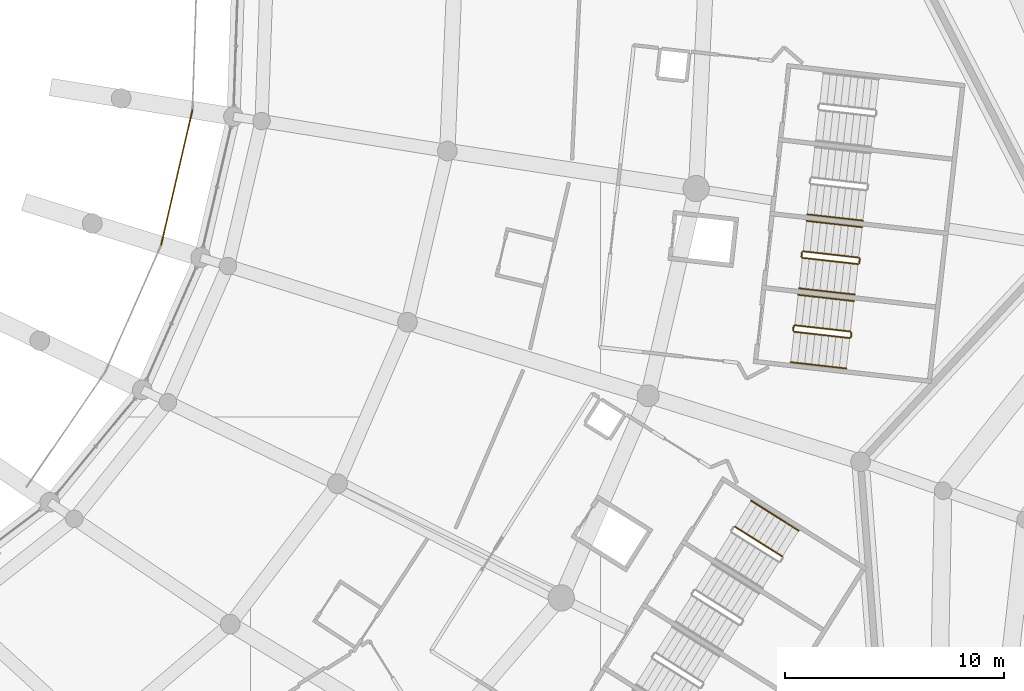
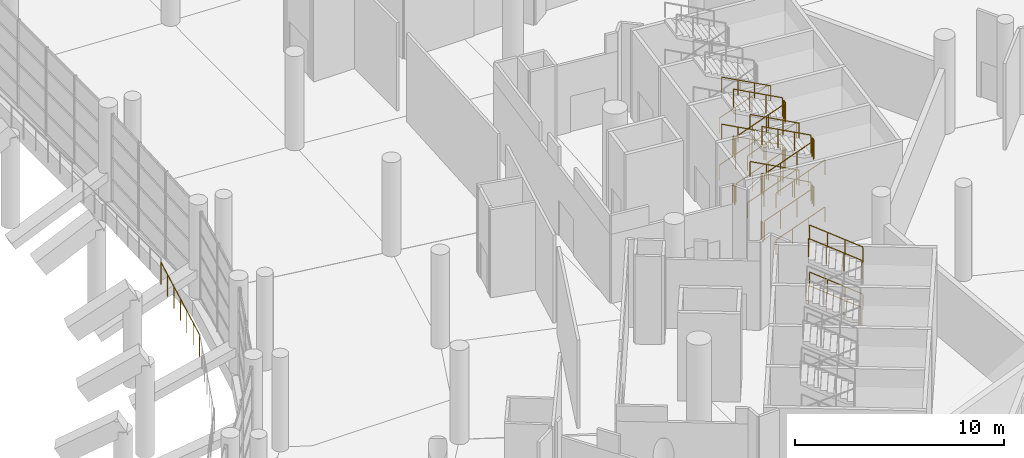
# One storey, part 243 of 271: 31 railings.
"""IFC4 building model written with IfcOpenShell, lengths in metres."""

from ifc_helpers import new_model, si_unit, direction, frame, origin, origin_2d, place, context, subcontext, project, spatial, circle, extrude, material, type_object, element, save


model = new_model("IFC4")

# Units and contexts
model_context = context("Model", 3, precision=1e-05, world=origin(), true_north=direction((0.0, 1.0)))
body_context = subcontext(model_context, "Body", "Model", "MODEL_VIEW")
ifc_project = project(units=[si_unit("LENGTHUNIT", "METRE"), si_unit("AREAUNIT", "SQUARE_METRE"), si_unit("VOLUMEUNIT", "CUBIC_METRE"), si_unit("PLANEANGLEUNIT", "RADIAN"), si_unit("MASSUNIT", "GRAM", prefix="KILO")], contexts=[model_context])

# Site, building, storey
site_placement = place(None, origin())
site = spatial("IfcSite", under=ifc_project, at=site_placement, CompositionType="ELEMENT")
building_placement = place(site_placement, origin())
building = spatial("IfcBuilding", under=site, at=building_placement, Name="Meseta Stadium", CompositionType="ELEMENT")
storey_placement = place(building_placement, frame((0.0, 0.0, 6.5)))
storey = spatial("IfcBuildingStorey", under=building, at=storey_placement, Name="L01", CompositionType="ELEMENT", Elevation=6.5)

# Railings
ifc_material_1 = material(Name="Steel S355", Category="steel")
railing_type_1 = type_object("IfcRailingType", Name="Stair guard 1100", PredefinedType="GUARDRAIL", material=ifc_material_1)
railing_1_placement = place(storey_placement, frame((88.83740234375, -60.10986328125, 0.15283203125)))
element("IfcRailing", 1, at=railing_1_placement, inside=storey, type_object=railing_type_1, Name="ST1 L01 guard 1", PredefinedType="GUARDRAIL", context=body_context, shape_type="SweptSolid", body=[
    extrude(circle(Radius=0.02392578125, at=origin_2d()), frame((0.0, 0.0, 1.076171875), z_axis=(0.896761948158, -0.101036326981, 0.430824406188), x_axis=(0.111959576062, 0.993712761983, 0.0)), (0.0, 0.0, 1.0), 2.8369140625),
    extrude(circle(Radius=0.02099609375, at=origin_2d()), origin(), (0.0, 0.0, 1.0), 1.052001953125),
    extrude(circle(Radius=0.02099609375, at=origin_2d()), frame((0.847900390625, -0.095458984375, 0.407470703125)), (0.0, 0.0, 1.0), 1.052001953125),
    extrude(circle(Radius=0.02099609375, at=origin_2d()), frame((1.696044921875, -0.191162109375, 0.814697265625)), (0.0, 0.0, 1.0), 1.052001953125),
    extrude(circle(Radius=0.02099609375, at=origin_2d()), frame((2.5439453125, -0.28662109375, 1.22216796875)), (0.0, 0.0, 1.0), 1.052001953125),
])
railing_2_placement = place(storey_placement, frame((91.4365234375, -60.352294921875, 1.375)))
element("IfcRailing", 2, at=railing_2_placement, inside=storey, type_object=railing_type_1, Name="ST1 L01 guard 2", PredefinedType="GUARDRAIL", context=body_context, shape_type="SweptSolid", body=[
    extrude(circle(Radius=0.02392578125, at=origin_2d()), frame((0.0, 0.0, 1.076171875), z_axis=(0.112307083986, 0.993673547442, 0.0), x_axis=(-0.993673547442, 0.112307083986, 0.0)), (0.0, 0.0, 1.0), 0.199951171875),
    extrude(circle(Radius=0.02099609375, at=origin_2d()), origin(), (0.0, 0.0, 1.0), 1.052001953125),
    extrude(circle(Radius=0.02099609375, at=origin_2d()), frame((0.0224609375, 0.19873046875, 0.0)), (0.0, 0.0, 1.0), 1.052001953125),
])
railing_3_placement = place(storey_placement, frame((91.414794921875, -60.098388671875, 1.52783203125)))
element("IfcRailing", 3, at=railing_3_placement, inside=storey, type_object=railing_type_1, Name="ST1 L01 guard 3", PredefinedType="GUARDRAIL", context=body_context, shape_type="SweptSolid", body=[
    extrude(circle(Radius=0.02392578125, at=origin_2d()), frame((0.0, 0.0, 1.076171875), z_axis=(-0.896745093794, 0.101044125167, 0.43085765808), x_axis=(-0.111970187058, -0.993711566407, 0.0)), (0.0, 0.0, 1.0), 2.836669921875),
    extrude(circle(Radius=0.02099609375, at=origin_2d()), origin(), (0.0, 0.0, 1.0), 1.052001953125),
    extrude(circle(Radius=0.02099609375, at=origin_2d()), frame((-0.847900390625, 0.095458984375, 0.407470703125)), (0.0, 0.0, 1.0), 1.052001953125),
    extrude(circle(Radius=0.02099609375, at=origin_2d()), frame((-1.69580078125, 0.191162109375, 0.814697265625)), (0.0, 0.0, 1.0), 1.052001953125),
    extrude(circle(Radius=0.02099609375, at=origin_2d()), frame((-2.543701171875, 0.28662109375, 1.22216796875)), (0.0, 0.0, 1.0), 1.052001953125),
])
railing_4_placement = place(storey_placement, frame((88.793212890625, -60.054443359375, 2.75)))
element("IfcRailing", 4, at=railing_4_placement, inside=storey, type_object=railing_type_1, Name="ST1 L01 guard 4", PredefinedType="GUARDRAIL", context=body_context, shape_type="SweptSolid", body=[
    extrude(circle(Radius=0.02392578125, at=origin_2d()), frame((0.0, 0.0, 1.076171875), z_axis=(0.112307083986, 0.993673547442, 0.0), x_axis=(-0.993673547442, 0.112307083986, 0.0)), (0.0, 0.0, 1.0), 0.199951171875),
    extrude(circle(Radius=0.02099609375, at=origin_2d()), origin(), (0.0, 0.0, 1.0), 1.052001953125),
    extrude(circle(Radius=0.02099609375, at=origin_2d()), frame((0.0224609375, 0.19873046875, 0.0)), (0.0, 0.0, 1.0), 1.052001953125),
])
railing_5_placement = place(storey_placement, frame((88.83740234375, -60.10986328125, 2.90283203125)))
element("IfcRailing", 5, at=railing_5_placement, inside=storey, type_object=railing_type_1, Name="ST1 L01 guard 5", PredefinedType="GUARDRAIL", context=body_context, shape_type="SweptSolid", body=[
    extrude(circle(Radius=0.02392578125, at=origin_2d()), frame((0.0, 0.0, 1.076171875), z_axis=(0.896761948158, -0.101036326981, 0.430824406188), x_axis=(0.111959576062, 0.993712761983, 0.0)), (0.0, 0.0, 1.0), 2.8369140625),
    extrude(circle(Radius=0.02099609375, at=origin_2d()), origin(), (0.0, 0.0, 1.0), 1.052001953125),
    extrude(circle(Radius=0.02099609375, at=origin_2d()), frame((0.847900390625, -0.095458984375, 0.407470703125)), (0.0, 0.0, 1.0), 1.052001953125),
    extrude(circle(Radius=0.02099609375, at=origin_2d()), frame((1.696044921875, -0.191162109375, 0.814697265625)), (0.0, 0.0, 1.0), 1.052001953125),
    extrude(circle(Radius=0.02099609375, at=origin_2d()), frame((2.5439453125, -0.28662109375, 1.22216796875)), (0.0, 0.0, 1.0), 1.052001953125),
])
railing_6_placement = place(storey_placement, frame((91.4365234375, -60.352294921875, 4.125)))
element("IfcRailing", 6, at=railing_6_placement, inside=storey, type_object=railing_type_1, Name="ST1 L01 guard 6", PredefinedType="GUARDRAIL", context=body_context, shape_type="SweptSolid", body=[
    extrude(circle(Radius=0.02392578125, at=origin_2d()), frame((0.0, 0.0, 1.076171875), z_axis=(0.112307083986, 0.993673547442, 0.0), x_axis=(-0.993673547442, 0.112307083986, 0.0)), (0.0, 0.0, 1.0), 0.199951171875),
    extrude(circle(Radius=0.02099609375, at=origin_2d()), origin(), (0.0, 0.0, 1.0), 1.052001953125),
    extrude(circle(Radius=0.02099609375, at=origin_2d()), frame((0.0224609375, 0.19873046875, 0.0)), (0.0, 0.0, 1.0), 1.052001953125),
])
railing_7_placement = place(storey_placement, frame((91.414794921875, -60.098388671875, 4.27783203125)))
element("IfcRailing", 7, at=railing_7_placement, inside=storey, type_object=railing_type_1, Name="ST1 L01 guard 7", PredefinedType="GUARDRAIL", context=body_context, shape_type="SweptSolid", body=[
    extrude(circle(Radius=0.02392578125, at=origin_2d()), frame((0.0, 0.0, 1.076171875), z_axis=(-0.896745093794, 0.101044125167, 0.43085765808), x_axis=(-0.111970187058, -0.993711566407, 0.0)), (0.0, 0.0, 1.0), 2.836669921875),
    extrude(circle(Radius=0.02099609375, at=origin_2d()), origin(), (0.0, 0.0, 1.0), 1.052001953125),
    extrude(circle(Radius=0.02099609375, at=origin_2d()), frame((-0.847900390625, 0.095458984375, 0.407470703125)), (0.0, 0.0, 1.0), 1.052001953125),
    extrude(circle(Radius=0.02099609375, at=origin_2d()), frame((-1.69580078125, 0.191162109375, 0.814697265625)), (0.0, 0.0, 1.0), 1.052001953125),
    extrude(circle(Radius=0.02099609375, at=origin_2d()), frame((-2.543701171875, 0.28662109375, 1.22216796875)), (0.0, 0.0, 1.0), 1.052001953125),
])
railing_8_placement = place(storey_placement, frame((88.793212890625, -60.054443359375, 0.0)))
element("IfcRailing", 8, at=railing_8_placement, inside=storey, type_object=railing_type_1, Name="ST1 L01 guard 8", PredefinedType="GUARDRAIL", context=body_context, shape_type="SweptSolid", body=[
    extrude(circle(Radius=0.02392578125, at=origin_2d()), frame((0.0, 0.0, 1.076171875), z_axis=(0.112307083986, 0.993673547442, 0.0), x_axis=(-0.993673547442, 0.112307083986, 0.0)), (0.0, 0.0, 1.0), 0.199951171875),
    extrude(circle(Radius=0.02099609375, at=origin_2d()), origin(), (0.0, 0.0, 1.0), 1.052001953125),
    extrude(circle(Radius=0.02099609375, at=origin_2d()), frame((0.0224609375, 0.19873046875, 0.0)), (0.0, 0.0, 1.0), 1.052001953125),
])
railing_9_placement = place(storey_placement, frame((89.218017578125, -56.731201171875, 0.15283203125)))
element("IfcRailing", 9, at=railing_9_placement, inside=storey, type_object=railing_type_1, Name="ST2 L01 guard 1", PredefinedType="GUARDRAIL", context=body_context, shape_type="SweptSolid", body=[
    extrude(circle(Radius=0.02392578125, at=origin_2d()), frame((0.0, 0.0, 1.076171875), z_axis=(0.896761948158, -0.101036326981, 0.430824406188), x_axis=(0.111959576062, 0.993712761983, 0.0)), (0.0, 0.0, 1.0), 2.8369140625),
    extrude(circle(Radius=0.02099609375, at=origin_2d()), origin(), (0.0, 0.0, 1.0), 1.052001953125),
    extrude(circle(Radius=0.02099609375, at=origin_2d()), frame((0.847900390625, -0.095458984375, 0.407470703125)), (0.0, 0.0, 1.0), 1.052001953125),
    extrude(circle(Radius=0.02099609375, at=origin_2d()), frame((1.696044921875, -0.191162109375, 0.814697265625)), (0.0, 0.0, 1.0), 1.052001953125),
    extrude(circle(Radius=0.02099609375, at=origin_2d()), frame((2.5439453125, -0.28662109375, 1.22216796875)), (0.0, 0.0, 1.0), 1.052001953125),
])
railing_10_placement = place(storey_placement, frame((91.8173828125, -56.973876953125, 1.375)))
element("IfcRailing", 10, at=railing_10_placement, inside=storey, type_object=railing_type_1, Name="ST2 L01 guard 2", PredefinedType="GUARDRAIL", context=body_context, shape_type="SweptSolid", body=[
    extrude(circle(Radius=0.02392578125, at=origin_2d()), frame((0.0, 0.0, 1.076171875), z_axis=(0.110966863456, 0.993824106779, 0.0), x_axis=(-0.993824106779, 0.110966863456, 0.0)), (0.0, 0.0, 1.0), 0.2001953125),
    extrude(circle(Radius=0.02099609375, at=origin_2d()), origin(), (0.0, 0.0, 1.0), 1.052001953125),
    extrude(circle(Radius=0.02099609375, at=origin_2d()), frame((0.022216796875, 0.198974609375, 0.0)), (0.0, 0.0, 1.0), 1.052001953125),
])
railing_11_placement = place(storey_placement, frame((91.795654296875, -56.7197265625, 1.52783203125)))
element("IfcRailing", 11, at=railing_11_placement, inside=storey, type_object=railing_type_1, Name="ST2 L01 guard 3", PredefinedType="GUARDRAIL", context=body_context, shape_type="SweptSolid", body=[
    extrude(circle(Radius=0.02392578125, at=origin_2d()), frame((0.0, 0.0, 1.076171875), z_axis=(-0.896761948158, 0.101036326981, 0.430824406188), x_axis=(-0.111959576062, -0.993712761983, 0.0)), (0.0, 0.0, 1.0), 2.8369140625),
    extrude(circle(Radius=0.02099609375, at=origin_2d()), origin(), (0.0, 0.0, 1.0), 1.052001953125),
    extrude(circle(Radius=0.02099609375, at=origin_2d()), frame((-0.847900390625, 0.095458984375, 0.407470703125)), (0.0, 0.0, 1.0), 1.052001953125),
    extrude(circle(Radius=0.02099609375, at=origin_2d()), frame((-1.696044921875, 0.191162109375, 0.814697265625)), (0.0, 0.0, 1.0), 1.052001953125),
    extrude(circle(Radius=0.02099609375, at=origin_2d()), frame((-2.5439453125, 0.28662109375, 1.22216796875)), (0.0, 0.0, 1.0), 1.052001953125),
])
railing_12_placement = place(storey_placement, frame((89.174072265625, -56.676025390625, 2.75)))
element("IfcRailing", 12, at=railing_12_placement, inside=storey, type_object=railing_type_1, Name="ST2 L01 guard 4", PredefinedType="GUARDRAIL", context=body_context, shape_type="SweptSolid", body=[
    extrude(circle(Radius=0.02392578125, at=origin_2d()), frame((0.0, 0.0, 1.076171875), z_axis=(0.111101504696, 0.993809063983, 0.0), x_axis=(-0.993809063983, 0.111101504696, 0.0)), (0.0, 0.0, 1.0), 0.199951171875),
    extrude(circle(Radius=0.02099609375, at=origin_2d()), origin(), (0.0, 0.0, 1.0), 1.052001953125),
    extrude(circle(Radius=0.02099609375, at=origin_2d()), frame((0.022216796875, 0.19873046875, 0.0)), (0.0, 0.0, 1.0), 1.052001953125),
])
railing_13_placement = place(storey_placement, frame((89.218017578125, -56.731201171875, 2.90283203125)))
element("IfcRailing", 13, at=railing_13_placement, inside=storey, type_object=railing_type_1, Name="ST2 L01 guard 5", PredefinedType="GUARDRAIL", context=body_context, shape_type="SweptSolid", body=[
    extrude(circle(Radius=0.02392578125, at=origin_2d()), frame((0.0, 0.0, 1.076171875), z_axis=(0.896761948158, -0.101036326981, 0.430824406188), x_axis=(0.111959576062, 0.993712761983, 0.0)), (0.0, 0.0, 1.0), 2.8369140625),
    extrude(circle(Radius=0.02099609375, at=origin_2d()), origin(), (0.0, 0.0, 1.0), 1.052001953125),
    extrude(circle(Radius=0.02099609375, at=origin_2d()), frame((0.847900390625, -0.095458984375, 0.407470703125)), (0.0, 0.0, 1.0), 1.052001953125),
    extrude(circle(Radius=0.02099609375, at=origin_2d()), frame((1.696044921875, -0.191162109375, 0.814697265625)), (0.0, 0.0, 1.0), 1.052001953125),
    extrude(circle(Radius=0.02099609375, at=origin_2d()), frame((2.5439453125, -0.28662109375, 1.22216796875)), (0.0, 0.0, 1.0), 1.052001953125),
])
railing_14_placement = place(storey_placement, frame((91.8173828125, -56.973876953125, 4.125)))
element("IfcRailing", 14, at=railing_14_placement, inside=storey, type_object=railing_type_1, Name="ST2 L01 guard 6", PredefinedType="GUARDRAIL", context=body_context, shape_type="SweptSolid", body=[
    extrude(circle(Radius=0.02392578125, at=origin_2d()), frame((0.0, 0.0, 1.076171875), z_axis=(0.110966863456, 0.993824106779, 0.0), x_axis=(-0.993824106779, 0.110966863456, 0.0)), (0.0, 0.0, 1.0), 0.2001953125),
    extrude(circle(Radius=0.02099609375, at=origin_2d()), origin(), (0.0, 0.0, 1.0), 1.052001953125),
    extrude(circle(Radius=0.02099609375, at=origin_2d()), frame((0.022216796875, 0.198974609375, 0.0)), (0.0, 0.0, 1.0), 1.052001953125),
])
railing_15_placement = place(storey_placement, frame((91.795654296875, -56.7197265625, 4.27783203125)))
element("IfcRailing", 15, at=railing_15_placement, inside=storey, type_object=railing_type_1, Name="ST2 L01 guard 7", PredefinedType="GUARDRAIL", context=body_context, shape_type="SweptSolid", body=[
    extrude(circle(Radius=0.02392578125, at=origin_2d()), frame((0.0, 0.0, 1.076171875), z_axis=(-0.896761948158, 0.101036326981, 0.430824406188), x_axis=(-0.111959576062, -0.993712761983, 0.0)), (0.0, 0.0, 1.0), 2.8369140625),
    extrude(circle(Radius=0.02099609375, at=origin_2d()), origin(), (0.0, 0.0, 1.0), 1.052001953125),
    extrude(circle(Radius=0.02099609375, at=origin_2d()), frame((-0.847900390625, 0.095458984375, 0.407470703125)), (0.0, 0.0, 1.0), 1.052001953125),
    extrude(circle(Radius=0.02099609375, at=origin_2d()), frame((-1.696044921875, 0.191162109375, 0.814697265625)), (0.0, 0.0, 1.0), 1.052001953125),
    extrude(circle(Radius=0.02099609375, at=origin_2d()), frame((-2.5439453125, 0.28662109375, 1.22216796875)), (0.0, 0.0, 1.0), 1.052001953125),
])
railing_16_placement = place(storey_placement, frame((89.174072265625, -56.676025390625, 0.0)))
element("IfcRailing", 16, at=railing_16_placement, inside=storey, type_object=railing_type_1, Name="ST2 L01 guard 8", PredefinedType="GUARDRAIL", context=body_context, shape_type="SweptSolid", body=[
    extrude(circle(Radius=0.02392578125, at=origin_2d()), frame((0.0, 0.0, 1.076171875), z_axis=(0.111101504696, 0.993809063983, 0.0), x_axis=(-0.993809063983, 0.111101504696, 0.0)), (0.0, 0.0, 1.0), 0.199951171875),
    extrude(circle(Radius=0.02099609375, at=origin_2d()), origin(), (0.0, 0.0, 1.0), 1.052001953125),
    extrude(circle(Radius=0.02099609375, at=origin_2d()), frame((0.022216796875, 0.19873046875, 0.0)), (0.0, 0.0, 1.0), 1.052001953125),
])
for number, where, name in (
    (17, (88.30126953125, -70.37939453125, 1.52783203125), "ST112 L01 guard 3"),
    (18, (88.30126953125, -70.37939453125, 4.27783203125), "ST112 L01 guard 7"),
):
    element("IfcRailing", number, at=place(storey_placement, frame(where)), inside=storey, type_object=railing_type_1, Name=name, PredefinedType="GUARDRAIL", context=body_context, shape_type="SweptSolid", body=[
        extrude(circle(Radius=0.02392578125, at=origin_2d()), frame((0.0, 0.0, 1.076171875), z_axis=(-0.764084805753, 0.480156468945, 0.430841241), x_axis=(-0.532071929883, -0.84669915639, 0.0)), (0.0, 0.0, 1.0), 2.836669921875),
        extrude(circle(Radius=0.02099609375, at=origin_2d()), origin(), (0.0, 0.0, 1.0), 1.052001953125),
        extrude(circle(Radius=0.02099609375, at=origin_2d()), frame((-0.722412109375, 0.4541015625, 0.407470703125)), (0.0, 0.0, 1.0), 1.052001953125),
        extrude(circle(Radius=0.02099609375, at=origin_2d()), frame((-1.445068359375, 0.907958984375, 0.814697265625)), (0.0, 0.0, 1.0), 1.052001953125),
        extrude(circle(Radius=0.02099609375, at=origin_2d()), frame((-2.16748046875, 1.362060546875, 1.22216796875)), (0.0, 0.0, 1.0), 1.052001953125),
    ])
ifc_material_2 = material(Name="Steel S355", Category="steel")
railing_type_2 = type_object("IfcRailingType", Name="Stair handrail 900", PredefinedType="HANDRAIL", material=ifc_material_2)
railing_17_placement = place(storey_placement, frame((88.6806640625, -61.5009765625, 0.15283203125)))
element("IfcRailing", 19, at=railing_17_placement, inside=storey, type_object=railing_type_2, Name="ST1 L01 handrail 1", PredefinedType="HANDRAIL", context=body_context, shape_type="SweptSolid", body=[
    extrude(circle(Radius=0.02392578125, at=origin_2d()), frame((0.0, 0.0, 0.8759765625), z_axis=(0.896761948158, -0.101036326981, 0.430824406188), x_axis=(0.111959576062, 0.993712761983, 0.0)), (0.0, 0.0, 1.0), 2.8369140625),
    extrude(circle(Radius=0.02099609375, at=origin_2d()), origin(), (0.0, 0.0, 1.0), 0.851806640625),
    extrude(circle(Radius=0.02099609375, at=origin_2d()), frame((0.847900390625, -0.095458984375, 0.407470703125)), (0.0, 0.0, 1.0), 0.851806640625),
    extrude(circle(Radius=0.02099609375, at=origin_2d()), frame((1.696044921875, -0.191162109375, 0.814697265625)), (0.0, 0.0, 1.0), 0.851806640625),
    extrude(circle(Radius=0.02099609375, at=origin_2d()), frame((2.5439453125, -0.28662109375, 1.22216796875)), (0.0, 0.0, 1.0), 0.851806640625),
])
railing_18_placement = place(storey_placement, frame((91.571533203125, -58.707275390625, 1.52783203125)))
element("IfcRailing", 20, at=railing_18_placement, inside=storey, type_object=railing_type_2, Name="ST1 L01 handrail 2", PredefinedType="HANDRAIL", context=body_context, shape_type="SweptSolid", body=[
    extrude(circle(Radius=0.02392578125, at=origin_2d()), frame((0.0, 0.0, 0.8759765625), z_axis=(-0.896737291859, 0.101129313555, 0.430853909497), x_axis=(-0.112064364749, -0.993700950062, 0.0)), (0.0, 0.0, 1.0), 2.836669921875),
    extrude(circle(Radius=0.02099609375, at=origin_2d()), origin(), (0.0, 0.0, 1.0), 0.851806640625),
    extrude(circle(Radius=0.02099609375, at=origin_2d()), frame((-0.847900390625, 0.095703125, 0.407470703125)), (0.0, 0.0, 1.0), 0.851806640625),
    extrude(circle(Radius=0.02099609375, at=origin_2d()), frame((-1.69580078125, 0.191162109375, 0.814697265625)), (0.0, 0.0, 1.0), 0.851806640625),
    extrude(circle(Radius=0.02099609375, at=origin_2d()), frame((-2.543701171875, 0.286865234375, 1.22216796875)), (0.0, 0.0, 1.0), 0.851806640625),
])
railing_19_placement = place(storey_placement, frame((88.6806640625, -61.5009765625, 2.90283203125)))
element("IfcRailing", 21, at=railing_19_placement, inside=storey, type_object=railing_type_2, Name="ST1 L01 handrail 3", PredefinedType="HANDRAIL", context=body_context, shape_type="SweptSolid", body=[
    extrude(circle(Radius=0.02392578125, at=origin_2d()), frame((0.0, 0.0, 0.8759765625), z_axis=(0.896761948158, -0.101036326981, 0.430824406188), x_axis=(0.111959576062, 0.993712761983, 0.0)), (0.0, 0.0, 1.0), 2.8369140625),
    extrude(circle(Radius=0.02099609375, at=origin_2d()), origin(), (0.0, 0.0, 1.0), 0.851806640625),
    extrude(circle(Radius=0.02099609375, at=origin_2d()), frame((0.847900390625, -0.095458984375, 0.407470703125)), (0.0, 0.0, 1.0), 0.851806640625),
    extrude(circle(Radius=0.02099609375, at=origin_2d()), frame((1.696044921875, -0.191162109375, 0.814697265625)), (0.0, 0.0, 1.0), 0.851806640625),
    extrude(circle(Radius=0.02099609375, at=origin_2d()), frame((2.5439453125, -0.28662109375, 1.22216796875)), (0.0, 0.0, 1.0), 0.851806640625),
])
railing_20_placement = place(storey_placement, frame((91.571533203125, -58.707275390625, 4.27783203125)))
element("IfcRailing", 22, at=railing_20_placement, inside=storey, type_object=railing_type_2, Name="ST1 L01 handrail 4", PredefinedType="HANDRAIL", context=body_context, shape_type="SweptSolid", body=[
    extrude(circle(Radius=0.02392578125, at=origin_2d()), frame((0.0, 0.0, 0.8759765625), z_axis=(-0.896737291859, 0.101129313555, 0.430853909497), x_axis=(-0.112064364749, -0.993700950062, 0.0)), (0.0, 0.0, 1.0), 2.836669921875),
    extrude(circle(Radius=0.02099609375, at=origin_2d()), origin(), (0.0, 0.0, 1.0), 0.851806640625),
    extrude(circle(Radius=0.02099609375, at=origin_2d()), frame((-0.847900390625, 0.095703125, 0.407470703125)), (0.0, 0.0, 1.0), 0.851806640625),
    extrude(circle(Radius=0.02099609375, at=origin_2d()), frame((-1.69580078125, 0.191162109375, 0.814697265625)), (0.0, 0.0, 1.0), 0.851806640625),
    extrude(circle(Radius=0.02099609375, at=origin_2d()), frame((-2.543701171875, 0.286865234375, 1.22216796875)), (0.0, 0.0, 1.0), 0.851806640625),
])
railing_21_placement = place(storey_placement, frame((89.061279296875, -58.122314453125, 0.15283203125)))
element("IfcRailing", 23, at=railing_21_placement, inside=storey, type_object=railing_type_2, Name="ST2 L01 handrail 1", PredefinedType="HANDRAIL", context=body_context, shape_type="SweptSolid", body=[
    extrude(circle(Radius=0.02392578125, at=origin_2d()), frame((0.0, 0.0, 0.8759765625), z_axis=(0.896761948158, -0.101036326981, 0.430824406188), x_axis=(0.111959576062, 0.993712761983, 0.0)), (0.0, 0.0, 1.0), 2.8369140625),
    extrude(circle(Radius=0.02099609375, at=origin_2d()), origin(), (0.0, 0.0, 1.0), 0.851806640625),
    extrude(circle(Radius=0.02099609375, at=origin_2d()), frame((0.847900390625, -0.095458984375, 0.407470703125)), (0.0, 0.0, 1.0), 0.851806640625),
    extrude(circle(Radius=0.02099609375, at=origin_2d()), frame((1.696044921875, -0.191162109375, 0.814697265625)), (0.0, 0.0, 1.0), 0.851806640625),
    extrude(circle(Radius=0.02099609375, at=origin_2d()), frame((2.5439453125, -0.28662109375, 1.22216796875)), (0.0, 0.0, 1.0), 0.851806640625),
])
railing_22_placement = place(storey_placement, frame((91.952392578125, -55.32861328125, 1.52783203125)))
element("IfcRailing", 24, at=railing_22_placement, inside=storey, type_object=railing_type_2, Name="ST2 L01 handrail 2", PredefinedType="HANDRAIL", context=body_context, shape_type="SweptSolid", body=[
    extrude(circle(Radius=0.02392578125, at=origin_2d()), frame((0.0, 0.0, 0.8759765625), z_axis=(-0.896761948158, 0.101036326981, 0.430824406188), x_axis=(-0.111959576062, -0.993712761983, 0.0)), (0.0, 0.0, 1.0), 2.8369140625),
    extrude(circle(Radius=0.02099609375, at=origin_2d()), origin(), (0.0, 0.0, 1.0), 0.851806640625),
    extrude(circle(Radius=0.02099609375, at=origin_2d()), frame((-0.847900390625, 0.095458984375, 0.407470703125)), (0.0, 0.0, 1.0), 0.851806640625),
    extrude(circle(Radius=0.02099609375, at=origin_2d()), frame((-1.696044921875, 0.191162109375, 0.814697265625)), (0.0, 0.0, 1.0), 0.851806640625),
    extrude(circle(Radius=0.02099609375, at=origin_2d()), frame((-2.5439453125, 0.28662109375, 1.22216796875)), (0.0, 0.0, 1.0), 0.851806640625),
])
railing_23_placement = place(storey_placement, frame((89.061279296875, -58.122314453125, 2.90283203125)))
element("IfcRailing", 25, at=railing_23_placement, inside=storey, type_object=railing_type_2, Name="ST2 L01 handrail 3", PredefinedType="HANDRAIL", context=body_context, shape_type="SweptSolid", body=[
    extrude(circle(Radius=0.02392578125, at=origin_2d()), frame((0.0, 0.0, 0.8759765625), z_axis=(0.896761948158, -0.101036326981, 0.430824406188), x_axis=(0.111959576062, 0.993712761983, 0.0)), (0.0, 0.0, 1.0), 2.8369140625),
    extrude(circle(Radius=0.02099609375, at=origin_2d()), origin(), (0.0, 0.0, 1.0), 0.851806640625),
    extrude(circle(Radius=0.02099609375, at=origin_2d()), frame((0.847900390625, -0.095458984375, 0.407470703125)), (0.0, 0.0, 1.0), 0.851806640625),
    extrude(circle(Radius=0.02099609375, at=origin_2d()), frame((1.696044921875, -0.191162109375, 0.814697265625)), (0.0, 0.0, 1.0), 0.851806640625),
    extrude(circle(Radius=0.02099609375, at=origin_2d()), frame((2.5439453125, -0.28662109375, 1.22216796875)), (0.0, 0.0, 1.0), 0.851806640625),
])
railing_24_placement = place(storey_placement, frame((91.952392578125, -55.32861328125, 4.27783203125)))
element("IfcRailing", 26, at=railing_24_placement, inside=storey, type_object=railing_type_2, Name="ST2 L01 handrail 4", PredefinedType="HANDRAIL", context=body_context, shape_type="SweptSolid", body=[
    extrude(circle(Radius=0.02392578125, at=origin_2d()), frame((0.0, 0.0, 0.8759765625), z_axis=(-0.896761948158, 0.101036326981, 0.430824406188), x_axis=(-0.111959576062, -0.993712761983, 0.0)), (0.0, 0.0, 1.0), 2.8369140625),
    extrude(circle(Radius=0.02099609375, at=origin_2d()), origin(), (0.0, 0.0, 1.0), 0.851806640625),
    extrude(circle(Radius=0.02099609375, at=origin_2d()), frame((-0.847900390625, 0.095458984375, 0.407470703125)), (0.0, 0.0, 1.0), 0.851806640625),
    extrude(circle(Radius=0.02099609375, at=origin_2d()), frame((-1.696044921875, 0.191162109375, 0.814697265625)), (0.0, 0.0, 1.0), 0.851806640625),
    extrude(circle(Radius=0.02099609375, at=origin_2d()), frame((-2.5439453125, 0.28662109375, 1.22216796875)), (0.0, 0.0, 1.0), 0.851806640625),
])
for number, where, name in (
    (27, (89.442138671875, -54.743896484375, 0.15283203125), "ST3 L01 handrail 1"),
    (28, (89.442138671875, -54.743896484375, 2.90283203125), "ST3 L01 handrail 3"),
):
    element("IfcRailing", number, at=place(storey_placement, frame(where)), inside=storey, type_object=railing_type_2, Name=name, PredefinedType="HANDRAIL", context=body_context, shape_type="SweptSolid", body=[
        extrude(circle(Radius=0.02392578125, at=origin_2d()), frame((0.0, 0.0, 0.8759765625), z_axis=(0.896745093794, -0.101044125167, 0.43085765808), x_axis=(0.111970187058, 0.993711566407, 0.0)), (0.0, 0.0, 1.0), 2.836669921875),
        extrude(circle(Radius=0.02099609375, at=origin_2d()), origin(), (0.0, 0.0, 1.0), 0.851806640625),
        extrude(circle(Radius=0.02099609375, at=origin_2d()), frame((0.847900390625, -0.095458984375, 0.407470703125)), (0.0, 0.0, 1.0), 0.851806640625),
        extrude(circle(Radius=0.02099609375, at=origin_2d()), frame((1.69580078125, -0.191162109375, 0.814697265625)), (0.0, 0.0, 1.0), 0.851806640625),
        extrude(circle(Radius=0.02099609375, at=origin_2d()), frame((2.543701171875, -0.28662109375, 1.22216796875)), (0.0, 0.0, 1.0), 0.851806640625),
    ])
for number, where, name in (
    (29, (89.046142578125, -69.19384765625, 1.52783203125), "ST112 L01 handrail 2"),
    (30, (89.046142578125, -69.19384765625, 4.27783203125), "ST112 L01 handrail 4"),
):
    element("IfcRailing", number, at=place(storey_placement, frame(where)), inside=storey, type_object=railing_type_2, Name=name, PredefinedType="HANDRAIL", context=body_context, shape_type="SweptSolid", body=[
        extrude(circle(Radius=0.02392578125, at=origin_2d()), frame((0.0, 0.0, 0.8759765625), z_axis=(-0.764084805753, 0.480156468945, 0.430841241), x_axis=(-0.532071929883, -0.84669915639, 0.0)), (0.0, 0.0, 1.0), 2.836669921875),
        extrude(circle(Radius=0.02099609375, at=origin_2d()), origin(), (0.0, 0.0, 1.0), 0.851806640625),
        extrude(circle(Radius=0.02099609375, at=origin_2d()), frame((-0.722412109375, 0.4541015625, 0.407470703125)), (0.0, 0.0, 1.0), 0.851806640625),
        extrude(circle(Radius=0.02099609375, at=origin_2d()), frame((-1.445068359375, 0.907958984375, 0.814697265625)), (0.0, 0.0, 1.0), 0.851806640625),
        extrude(circle(Radius=0.02099609375, at=origin_2d()), frame((-2.16748046875, 1.362060546875, 1.22216796875)), (0.0, 0.0, 1.0), 0.851806640625),
    ])
ifc_material_3 = material(Name="Steel S355", Category="steel")
railing_type_3 = type_object("IfcRailingType", Name="Stand rear guard 1300", PredefinedType="GUARDRAIL", material=ifc_material_3)
railing_25_placement = place(storey_placement, frame((59.91015625, -56.14697265625, 1.035888671875)))
element("IfcRailing", 31, at=railing_25_placement, inside=storey, type_object=railing_type_3, Name="Stand lower tier rear guard bay 56", PredefinedType="GUARDRAIL", context=body_context, shape_type="SweptSolid", body=[
    extrude(circle(Radius=0.02490234375, at=origin_2d()), frame((0.0, 0.0, 1.27490234375), z_axis=(0.225891088366, 0.974150505012, -0.002002444016), x_axis=(-0.974152458083, 0.225891541255, 0.0)), (0.0, 0.0, 1.0), 6.33984375),
    extrude(circle(Radius=0.02001953125, at=origin_2d()), origin(), (0.0, 0.0, 1.0), 1.25),
    extrude(circle(Radius=0.02001953125, at=origin_2d()), frame((0.23876953125, 1.029296875, -0.002197265625)), (0.0, 0.0, 1.0), 1.25),
    extrude(circle(Radius=0.02001953125, at=origin_2d()), frame((0.477294921875, 2.05859375, -0.004150390625)), (0.0, 0.0, 1.0), 1.25),
    extrude(circle(Radius=0.02001953125, at=origin_2d()), frame((0.716064453125, 3.087890625, -0.00634765625)), (0.0, 0.0, 1.0), 1.25),
    extrude(circle(Radius=0.02001953125, at=origin_2d()), frame((0.954833984375, 4.117431640625, -0.008544921875)), (0.0, 0.0, 1.0), 1.25),
    extrude(circle(Radius=0.02001953125, at=origin_2d()), frame((1.193359375, 5.146728515625, -0.010498046875)), (0.0, 0.0, 1.0), 1.25),
    extrude(circle(Radius=0.02001953125, at=origin_2d()), frame((1.43212890625, 6.176025390625, -0.0126953125)), (0.0, 0.0, 1.0), 1.25),
])

save(model, "model.ifc")
